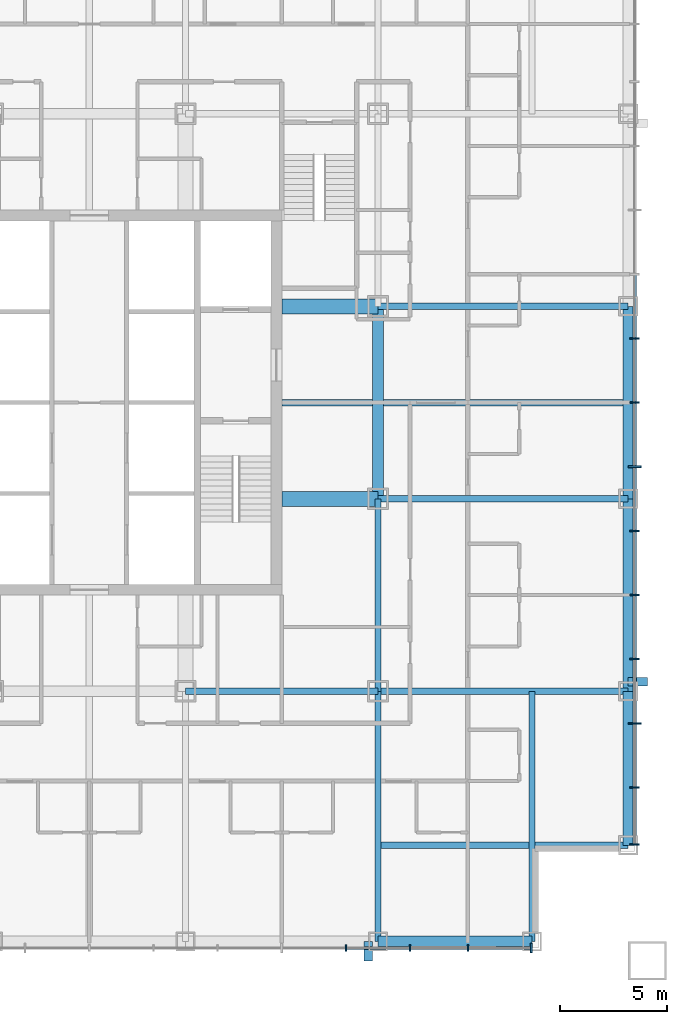
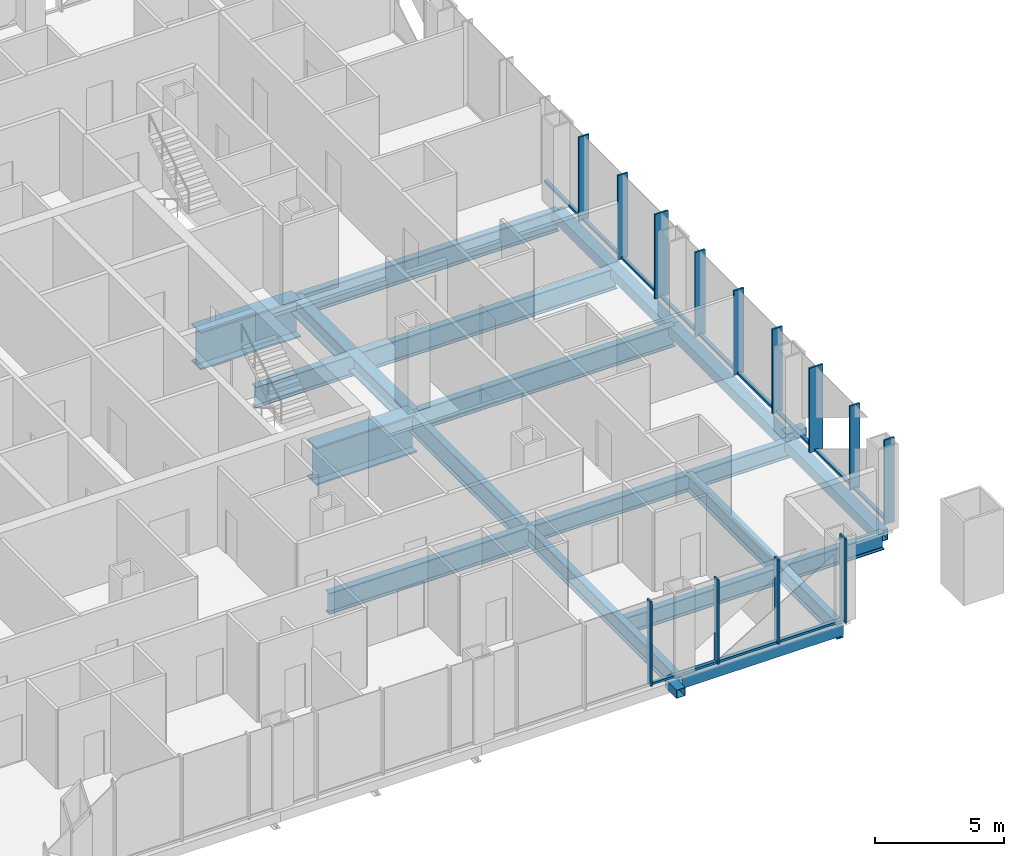
# One storey, part 3 of 13: 27 members, 16 beams, 2 elements without a shape of their own.
"""IFC4 building model written with IfcOpenShell, lengths in metres."""

from ifc_helpers import new_model, si_unit, direction, frame, origin, origin_2d, place, context, subcontext, project, spatial, rectangle, hollow_rectangle, i_section, extrude, material, layer, layer_set, material_profile, profile_set, type_object, element, aggregate, save


model = new_model("IFC4")

# Units and contexts
model_context = context("Model", 3, precision=1e-05, world=origin(), true_north=direction((0.0, 1.0)))
body_context = subcontext(model_context, "Body", "Model", "MODEL_VIEW")
ifc_project = project(units=[si_unit("LENGTHUNIT", "METRE"), si_unit("AREAUNIT", "SQUARE_METRE"), si_unit("VOLUMEUNIT", "CUBIC_METRE"), si_unit("PLANEANGLEUNIT", "RADIAN"), si_unit("MASSUNIT", "GRAM", prefix="KILO")], contexts=[model_context])

# Site, building, storey
site_placement = place(None, origin())
site = spatial("IfcSite", under=ifc_project, at=site_placement, CompositionType="ELEMENT")
building_placement = place(site_placement, origin())
building = spatial("IfcBuilding", under=site, at=building_placement, Name="Malebo Sky Hospital", CompositionType="ELEMENT")
storey_placement = place(building_placement, frame((0.0, 0.0, 87.0)))
storey = spatial("IfcBuildingStorey", under=building, at=storey_placement, Name="L20", CompositionType="ELEMENT", Elevation=87.0)

# Curtain wall, members
ifc_material_1 = material(Name="Anodised aluminium, natural silver", Category="aluminium")
ifc_layer_1 = layer(ifc_material_1, 0.25)
ifc_layer_set_1 = layer_set([ifc_layer_1], Name="WARD CURTAIN WALL NORTH AND SOUTH")
curtain_wall_type_1 = type_object("IfcCurtainWallType", Name="WARD CURTAIN WALL NORTH AND SOUTH", PredefinedType="NOTDEFINED", material=ifc_layer_set_1)
curtain_wall_1_placement = place(storey_placement, origin())
curtain_wall_1 = element("IfcCurtainWall", 1, at=curtain_wall_1_placement, inside=storey, type_object=curtain_wall_type_1, Name="NS curtain wall S", PredefinedType="NOTDEFINED")
ifc_material_profile_1 = material_profile(ifc_material_1, rectangle(XDim=0.14990234375, YDim=0.10009765625, at=origin_2d()), Name="ALUMINIUM TRANSOM 150x100")
ifc_profile_set_1 = profile_set([ifc_material_profile_1], Name="Anodised aluminium, natural silver")
member_type_1 = type_object("IfcMemberType", Name="ALUMINIUM TRANSOM 150x100", PredefinedType="USERDEFINED", material=ifc_profile_set_1)
member_1_placement = place(storey_placement, frame((80.625, 36.5, 0.050048828125), z_axis=(-1.0, 0.0, 0.0), x_axis=(0.0, -1.0, 0.0)))
member_1 = element("IfcMember", 2, at=member_1_placement, type_object=member_type_1, Name="Transom 1", ObjectType="TRANSOM", PredefinedType="USERDEFINED", context=body_context, shape_type="SweptSolid", body=[
    extrude(rectangle(XDim=0.14990234375, YDim=0.10009765625, at=origin_2d()), origin(), (0.0, 0.0, 1.0), 2.887451171875),
])
member_2_placement = place(storey_placement, frame((77.66259765625, 36.5, 0.050048828125), z_axis=(-1.0, 0.0, 0.0), x_axis=(0.0, -1.0, 0.0)))
member_2 = element("IfcMember", 3, at=member_2_placement, type_object=member_type_1, Name="Transom 2", ObjectType="TRANSOM", PredefinedType="USERDEFINED", context=body_context, shape_type="SweptSolid", body=[
    extrude(rectangle(XDim=0.14990234375, YDim=0.10009765625, at=origin_2d()), origin(), (0.0, 0.0, 1.0), 2.625),
])
member_3_placement = place(storey_placement, frame((74.96240234375, 36.5, 0.050048828125), z_axis=(-1.0, 0.0, 0.0), x_axis=(0.0, -1.0, 0.0)))
member_3 = element("IfcMember", 4, at=member_3_placement, type_object=member_type_1, Name="Transom 3", ObjectType="TRANSOM", PredefinedType="USERDEFINED", context=body_context, shape_type="SweptSolid", body=[
    extrude(rectangle(XDim=0.14990234375, YDim=0.10009765625, at=origin_2d()), origin(), (0.0, 0.0, 1.0), 2.9248046875),
])

ifc_layer_2 = layer(ifc_material_1, 0.25)
ifc_layer_set_2 = layer_set([ifc_layer_2], Name="WARD CURTAIN WALL EAST AND WEST")
curtain_wall_type_2 = type_object("IfcCurtainWallType", Name="WARD CURTAIN WALL EAST AND WEST", PredefinedType="NOTDEFINED", material=ifc_layer_set_2)
curtain_wall_2_placement = place(storey_placement, origin())
curtain_wall_2 = element("IfcCurtainWall", 5, at=curtain_wall_2_placement, inside=storey, type_object=curtain_wall_type_2, Name="EW curtain wall E", PredefinedType="NOTDEFINED")
member_4_placement = place(storey_placement, frame((85.5, 67.96240234375, 0.050048828125), z_axis=(0.0, -1.0, 0.0), x_axis=(1.0, 0.0, 0.0)))
member_4 = element("IfcMember", 6, at=member_4_placement, type_object=member_type_1, Name="Transom 6", ObjectType="TRANSOM", PredefinedType="USERDEFINED", context=body_context, shape_type="SweptSolid", body=[
    extrude(rectangle(XDim=0.14990234375, YDim=0.10009765625, at=origin_2d()), origin(), (0.0, 0.0, 1.0), 2.9248046875),
])
member_5_placement = place(storey_placement, frame((85.5, 64.96240234375, 0.050048828125), z_axis=(0.0, -1.0, 0.0), x_axis=(1.0, 0.0, 0.0)))
member_5 = element("IfcMember", 7, at=member_5_placement, type_object=member_type_1, Name="Transom 7", ObjectType="TRANSOM", PredefinedType="USERDEFINED", context=body_context, shape_type="SweptSolid", body=[
    extrude(rectangle(XDim=0.14990234375, YDim=0.10009765625, at=origin_2d()), origin(), (0.0, 0.0, 1.0), 2.9248046875),
])
member_6_placement = place(storey_placement, frame((85.5, 61.96240234375, 0.050048828125), z_axis=(0.0, -1.0, 0.0), x_axis=(1.0, 0.0, 0.0)))
member_6 = element("IfcMember", 8, at=member_6_placement, type_object=member_type_1, Name="Transom 8", ObjectType="TRANSOM", PredefinedType="USERDEFINED", context=body_context, shape_type="SweptSolid", body=[
    extrude(rectangle(XDim=0.14990234375, YDim=0.10009765625, at=origin_2d()), origin(), (0.0, 0.0, 1.0), 2.9248046875),
])
member_7_placement = place(storey_placement, frame((85.5, 58.96240234375, 0.050048828125), z_axis=(0.0, -1.0, 0.0), x_axis=(1.0, 0.0, 0.0)))
member_7 = element("IfcMember", 9, at=member_7_placement, type_object=member_type_1, Name="Transom 9", ObjectType="TRANSOM", PredefinedType="USERDEFINED", context=body_context, shape_type="SweptSolid", body=[
    extrude(rectangle(XDim=0.14990234375, YDim=0.10009765625, at=origin_2d()), origin(), (0.0, 0.0, 1.0), 2.9248046875),
])
member_8_placement = place(storey_placement, frame((85.5, 55.96240234375, 0.050048828125), z_axis=(0.0, -1.0, 0.0), x_axis=(1.0, 0.0, 0.0)))
member_8 = element("IfcMember", 10, at=member_8_placement, type_object=member_type_1, Name="Transom 10", ObjectType="TRANSOM", PredefinedType="USERDEFINED", context=body_context, shape_type="SweptSolid", body=[
    extrude(rectangle(XDim=0.14990234375, YDim=0.10009765625, at=origin_2d()), origin(), (0.0, 0.0, 1.0), 2.9248046875),
])
member_9_placement = place(storey_placement, frame((85.5, 52.96240234375, 0.050048828125), z_axis=(0.0, -1.0, 0.0), x_axis=(1.0, 0.0, 0.0)))
member_9 = element("IfcMember", 11, at=member_9_placement, type_object=member_type_1, Name="Transom 11", ObjectType="TRANSOM", PredefinedType="USERDEFINED", context=body_context, shape_type="SweptSolid", body=[
    extrude(rectangle(XDim=0.14990234375, YDim=0.10009765625, at=origin_2d()), origin(), (0.0, 0.0, 1.0), 2.9248046875),
])
member_10_placement = place(storey_placement, frame((85.5, 49.96240234375, 0.050048828125), z_axis=(0.0, -1.0, 0.0), x_axis=(1.0, 0.0, 0.0)))
member_10 = element("IfcMember", 12, at=member_10_placement, type_object=member_type_1, Name="Transom 12", ObjectType="TRANSOM", PredefinedType="USERDEFINED", context=body_context, shape_type="SweptSolid", body=[
    extrude(rectangle(XDim=0.14990234375, YDim=0.10009765625, at=origin_2d()), origin(), (0.0, 0.0, 1.0), 2.9248046875),
])
member_11_placement = place(storey_placement, frame((85.5, 46.96240234375, 0.050048828125), z_axis=(0.0, -1.0, 0.0), x_axis=(1.0, 0.0, 0.0)))
member_11 = element("IfcMember", 13, at=member_11_placement, type_object=member_type_1, Name="Transom 13", ObjectType="TRANSOM", PredefinedType="USERDEFINED", context=body_context, shape_type="SweptSolid", body=[
    extrude(rectangle(XDim=0.14990234375, YDim=0.10009765625, at=origin_2d()), origin(), (0.0, 0.0, 1.0), 2.9248046875),
])
member_12_placement = place(storey_placement, frame((85.5, 43.96240234375, 0.050048828125), z_axis=(0.0, -1.0, 0.0), x_axis=(1.0, 0.0, 0.0)))
member_12 = element("IfcMember", 14, at=member_12_placement, type_object=member_type_1, Name="Transom 14", ObjectType="TRANSOM", PredefinedType="USERDEFINED", context=body_context, shape_type="SweptSolid", body=[
    extrude(rectangle(XDim=0.14990234375, YDim=0.10009765625, at=origin_2d()), origin(), (0.0, 0.0, 1.0), 2.58740234375),
])

# Members
ifc_material_2 = material(Name="Steel S355", Category="steel")
ifc_material_profile_2 = material_profile(ifc_material_2, hollow_rectangle(XDim=0.39990234375, YDim=0.39990234375, WallThickness=0.02001953125, at=origin_2d()), Name="SHS 400x20")
ifc_profile_set_2 = profile_set([ifc_material_profile_2], Name="Steel S355")
member_type_2 = type_object("IfcMemberType", Name="BRACE STRUT SHS 400x20", PredefinedType="STRUT", material=ifc_profile_set_2)
for number, where, z_axis, x_axis, name in (
    (15, (73.050048828125, 35.89990234375, -0.39990234375), (0.0, 1.0, 0.0), (-1.0, 0.0, 0.0), "Brace strut AS1 L20"),
    (16, (86.10009765625, 48.949951171875, -0.39990234375), (-1.0, 0.0, 0.0), (0.0, -1.0, 0.0), "Brace strut AE2 L20"),
):
    element("IfcMember", number, at=place(storey_placement, frame(where, z_axis=z_axis, x_axis=x_axis)), inside=storey, type_object=member_type_2, Name=name, PredefinedType="STRUT", context=body_context, shape_type="SweptSolid", body=[
        extrude(hollow_rectangle(XDim=0.39990234375, YDim=0.39990234375, WallThickness=0.02001953125, at=origin_2d()), origin(), (0.0, 0.0, 1.0), 0.900146484375),
    ])

# Member
ifc_material_profile_3 = material_profile(ifc_material_1, rectangle(XDim=0.074951171875, YDim=0.300048828125, at=origin_2d()), Name="CW1 ALUMINIUM FIN MULLION 75x300")
ifc_profile_set_3 = profile_set([ifc_material_profile_3], Name="Anodised aluminium, natural silver")
member_type_3 = type_object("IfcMemberType", Name="CW1 ALUMINIUM FIN MULLION 75x300", PredefinedType="MULLION", material=ifc_profile_set_3)
member_13_placement = place(storey_placement, frame((77.699951171875, 36.5, 0.0), z_axis=(0.0, 0.0, 1.0), x_axis=(-1.0, 0.0, 0.0)))
member_13 = element("IfcMember", 17, at=member_13_placement, type_object=member_type_3, Name="Fin mullion 2", PredefinedType="MULLION", context=body_context, shape_type="SweptSolid", body=[
    extrude(rectangle(XDim=0.074951171875, YDim=0.300048828125, at=origin_2d()), origin(), (0.0, 0.0, 1.0), 4.0),
])

member_14_placement = place(storey_placement, frame((75.0, 36.5, 0.0), z_axis=(0.0, 0.0, 1.0), x_axis=(-1.0, 0.0, 0.0)))
member_14 = element("IfcMember", 18, at=member_14_placement, type_object=member_type_3, Name="Fin mullion 3", PredefinedType="MULLION", context=body_context, shape_type="SweptSolid", body=[
    extrude(rectangle(XDim=0.074951171875, YDim=0.300048828125, at=origin_2d()), origin(), (0.0, 0.0, 1.0), 4.0),
])

member_15_placement = place(storey_placement, frame((72.0, 36.5, 0.0), z_axis=(0.0, 0.0, 1.0), x_axis=(-1.0, 0.0, 0.0)))
member_15 = element("IfcMember", 19, at=member_15_placement, type_object=member_type_3, Name="Fin mullion 4", PredefinedType="MULLION", context=body_context, shape_type="SweptSolid", body=[
    extrude(rectangle(XDim=0.074951171875, YDim=0.300048828125, at=origin_2d()), origin(), (0.0, 0.0, 1.0), 4.0),
])

ifc_material_profile_4 = material_profile(ifc_material_1, rectangle(XDim=0.074951171875, YDim=0.449951171875, at=origin_2d()), Name="CW1 ALUMINIUM FIN MULLION 75x450")
ifc_profile_set_4 = profile_set([ifc_material_profile_4], Name="Anodised aluminium, natural silver")
member_type_4 = type_object("IfcMemberType", Name="CW1 ALUMINIUM FIN MULLION 75x450", PredefinedType="MULLION", material=ifc_profile_set_4)
member_16_placement = place(storey_placement, frame((80.66259765625, 36.5, 0.0), z_axis=(0.0, 0.0, 1.0), x_axis=(-1.0, 0.0, 0.0)))
member_16 = element("IfcMember", 20, at=member_16_placement, type_object=member_type_4, Name="Fin mullion 1", PredefinedType="MULLION", context=body_context, shape_type="SweptSolid", body=[
    extrude(rectangle(XDim=0.074951171875, YDim=0.449951171875, at=origin_2d()), origin(), (0.0, 0.0, 1.0), 4.0),
])

aggregate(curtain_wall_1, [member_16, member_13, member_14, member_15, member_1, member_2, member_3])

ifc_material_profile_5 = material_profile(ifc_material_1, rectangle(XDim=0.074951171875, YDim=0.449951171875, at=origin_2d()), Name="CW2 ALUMINIUM FIN MULLION 75x450")
ifc_profile_set_5 = profile_set([ifc_material_profile_5], Name="Anodised aluminium, natural silver")
member_type_5 = type_object("IfcMemberType", Name="CW2 ALUMINIUM FIN MULLION 75x450", PredefinedType="MULLION", material=ifc_profile_set_5)
member_17_placement = place(storey_placement, frame((85.5, 65.0, 0.0), z_axis=(0.0, 0.0, 1.0), x_axis=(0.0, -1.0, 0.0)))
member_17 = element("IfcMember", 21, at=member_17_placement, type_object=member_type_5, Name="Fin mullion 7", PredefinedType="MULLION", context=body_context, shape_type="SweptSolid", body=[
    extrude(rectangle(XDim=0.074951171875, YDim=0.449951171875, at=origin_2d()), origin(), (0.0, 0.0, 1.0), 4.0),
])

member_18_placement = place(storey_placement, frame((85.5, 62.0, 0.0), z_axis=(0.0, 0.0, 1.0), x_axis=(0.0, -1.0, 0.0)))
member_18 = element("IfcMember", 22, at=member_18_placement, type_object=member_type_5, Name="Fin mullion 8", PredefinedType="MULLION", context=body_context, shape_type="SweptSolid", body=[
    extrude(rectangle(XDim=0.074951171875, YDim=0.449951171875, at=origin_2d()), origin(), (0.0, 0.0, 1.0), 4.0),
])

member_19_placement = place(storey_placement, frame((85.5, 56.0, 0.0), z_axis=(0.0, 0.0, 1.0), x_axis=(0.0, -1.0, 0.0)))
member_19 = element("IfcMember", 23, at=member_19_placement, type_object=member_type_5, Name="Fin mullion 10", PredefinedType="MULLION", context=body_context, shape_type="SweptSolid", body=[
    extrude(rectangle(XDim=0.074951171875, YDim=0.449951171875, at=origin_2d()), origin(), (0.0, 0.0, 1.0), 4.0),
])

member_20_placement = place(storey_placement, frame((85.5, 53.0, 0.0), z_axis=(0.0, 0.0, 1.0), x_axis=(0.0, -1.0, 0.0)))
member_20 = element("IfcMember", 24, at=member_20_placement, type_object=member_type_5, Name="Fin mullion 11", PredefinedType="MULLION", context=body_context, shape_type="SweptSolid", body=[
    extrude(rectangle(XDim=0.074951171875, YDim=0.449951171875, at=origin_2d()), origin(), (0.0, 0.0, 1.0), 4.0),
])

member_21_placement = place(storey_placement, frame((85.5, 50.0, 0.0), z_axis=(0.0, 0.0, 1.0), x_axis=(0.0, -1.0, 0.0)))
member_21 = element("IfcMember", 25, at=member_21_placement, type_object=member_type_5, Name="Fin mullion 12", PredefinedType="MULLION", context=body_context, shape_type="SweptSolid", body=[
    extrude(rectangle(XDim=0.074951171875, YDim=0.449951171875, at=origin_2d()), origin(), (0.0, 0.0, 1.0), 4.0),
])

member_22_placement = place(storey_placement, frame((85.5, 44.0, 0.0), z_axis=(0.0, 0.0, 1.0), x_axis=(0.0, -1.0, 0.0)))
member_22 = element("IfcMember", 26, at=member_22_placement, type_object=member_type_5, Name="Fin mullion 14", PredefinedType="MULLION", context=body_context, shape_type="SweptSolid", body=[
    extrude(rectangle(XDim=0.074951171875, YDim=0.449951171875, at=origin_2d()), origin(), (0.0, 0.0, 1.0), 4.0),
])

member_23_placement = place(storey_placement, frame((85.5, 41.33740234375, 0.0), z_axis=(0.0, 0.0, 1.0), x_axis=(0.0, -1.0, 0.0)))
member_23 = element("IfcMember", 27, at=member_23_placement, type_object=member_type_5, Name="Fin mullion 15", PredefinedType="MULLION", context=body_context, shape_type="SweptSolid", body=[
    extrude(rectangle(XDim=0.074951171875, YDim=0.449951171875, at=origin_2d()), origin(), (0.0, 0.0, 1.0), 4.0),
])

ifc_material_profile_6 = material_profile(ifc_material_1, rectangle(XDim=0.074951171875, YDim=0.60009765625, at=origin_2d()), Name="CW2 ALUMINIUM FIN MULLION 75x600")
ifc_profile_set_6 = profile_set([ifc_material_profile_6], Name="Anodised aluminium, natural silver")
member_type_6 = type_object("IfcMemberType", Name="CW2 ALUMINIUM FIN MULLION 75x600", PredefinedType="MULLION", material=ifc_profile_set_6)
member_24_placement = place(storey_placement, frame((85.5, 59.0, 0.0), z_axis=(0.0, 0.0, 1.0), x_axis=(0.0, -1.0, 0.0)))
member_24 = element("IfcMember", 28, at=member_24_placement, type_object=member_type_6, Name="Fin mullion 9", PredefinedType="MULLION", context=body_context, shape_type="SweptSolid", body=[
    extrude(rectangle(XDim=0.074951171875, YDim=0.60009765625, at=origin_2d()), origin(), (0.0, 0.0, 1.0), 4.0),
])

member_25_placement = place(storey_placement, frame((85.5, 47.0, 0.0), z_axis=(0.0, 0.0, 1.0), x_axis=(0.0, -1.0, 0.0)))
member_25 = element("IfcMember", 29, at=member_25_placement, type_object=member_type_6, Name="Fin mullion 13", PredefinedType="MULLION", context=body_context, shape_type="SweptSolid", body=[
    extrude(rectangle(XDim=0.074951171875, YDim=0.60009765625, at=origin_2d()), origin(), (0.0, 0.0, 1.0), 4.0),
])

aggregate(curtain_wall_2, [member_17, member_18, member_24, member_19, member_20, member_21, member_25, member_22, member_23, member_4, member_5, member_6, member_7, member_8, member_9, member_10, member_11, member_12])

# Beams
ifc_material_3 = material(Name="Steel S460", Category="steel")
ifc_material_profile_7 = material_profile(ifc_material_3, hollow_rectangle(XDim=0.5, YDim=0.5, WallThickness=0.030029296875, at=origin_2d()), Name="BOX 500x500x30")
ifc_profile_set_7 = profile_set([ifc_material_profile_7], Name="Steel S460")
beam_type_1 = type_object("IfcBeamType", Name="EDGE BEAM BOX 500x500x30", PredefinedType="BEAM", material=ifc_profile_set_7)
beam_1_placement = place(storey_placement, frame((85.199951171875, 41.300048828125, -0.5), z_axis=(0.0, 1.0, 0.0), x_axis=(-1.0, 0.0, 0.0)))
element("IfcBeam", 30, at=beam_1_placement, inside=storey, type_object=beam_type_1, Name="Beam 029 L20", PredefinedType="BEAM", context=body_context, shape_type="SweptSolid", body=[
    extrude(hollow_rectangle(XDim=0.5, YDim=0.5, WallThickness=0.030029296875, at=origin_2d()), origin(), (0.0, 0.0, 1.0), 7.199951171875),
])
for number, where, z_axis, x_axis, name in (
    (31, (85.199951171875, 48.5, -0.5), (0.0, 1.0, 0.0), (-1.0, 0.0, 0.0), "Beam 030 L20"),
    (32, (85.199951171875, 57.5, -0.5), (0.0, 1.0, 0.0), (-1.0, 0.0, 0.0), "Beam 031 L20"),
):
    element("IfcBeam", number, at=place(storey_placement, frame(where, z_axis=z_axis, x_axis=x_axis)), inside=storey, type_object=beam_type_1, Name=name, PredefinedType="BEAM", context=body_context, shape_type="SweptSolid", body=[
        extrude(hollow_rectangle(XDim=0.5, YDim=0.5, WallThickness=0.030029296875, at=origin_2d()), origin(), (0.0, 0.0, 1.0), 9.0),
    ])
beam_2_placement = place(storey_placement, frame((73.5, 36.800048828125, -0.5), z_axis=(1.0, 0.0, 0.0), x_axis=(0.0, 1.0, 0.0)))
element("IfcBeam", 33, at=beam_2_placement, inside=storey, type_object=beam_type_1, Name="Beam 038 L20", PredefinedType="BEAM", context=body_context, shape_type="SweptSolid", body=[
    extrude(hollow_rectangle(XDim=0.5, YDim=0.5, WallThickness=0.030029296875, at=origin_2d()), origin(), (0.0, 0.0, 1.0), 7.199951171875),
])
ifc_material_profile_8 = material_profile(ifc_material_2, i_section(OverallWidth=0.300048828125, OverallDepth=1.0, WebThickness=0.01904296875, FlangeThickness=0.035888671875, FilletRadius=0.030029296875, at=origin_2d()), Name="HEB 1000")
ifc_profile_set_8 = profile_set([ifc_material_profile_8], Name="Steel S355")
beam_type_2 = type_object("IfcBeamType", Name="FLOOR BEAM HEB 1000", PredefinedType="BEAM", material=ifc_profile_set_8)
for number, where, z_axis, x_axis, name in (
    (34, (73.5, 48.5, -0.75), (0.0, 1.0, 0.0), (-1.0, 0.0, 0.0), "Beam 023 L20"),
    (35, (64.5, 48.5, -0.75), (1.0, 0.0, 0.0), (0.0, 1.0, 0.0), "Beam 044 L20"),
):
    element("IfcBeam", number, at=place(storey_placement, frame(where, z_axis=z_axis, x_axis=x_axis)), inside=storey, type_object=beam_type_2, Name=name, PredefinedType="BEAM", context=body_context, shape_type="SweptSolid", body=[
        extrude(i_section(OverallWidth=0.300048828125, OverallDepth=1.0, WebThickness=0.01904296875, FlangeThickness=0.035888671875, FilletRadius=0.030029296875, at=origin_2d()), origin(), (0.0, 0.0, 1.0), 9.0),
    ])
beam_3_placement = place(storey_placement, frame((73.5, 57.5, -0.75), z_axis=(1.0, 0.0, 0.0), x_axis=(0.0, 1.0, 0.0)))
element("IfcBeam", 36, at=beam_3_placement, inside=storey, type_object=beam_type_2, Name="Beam 049 L20", PredefinedType="BEAM", context=body_context, shape_type="SweptSolid", body=[
    extrude(i_section(OverallWidth=0.300048828125, OverallDepth=1.0, WebThickness=0.01904296875, FlangeThickness=0.035888671875, FilletRadius=0.030029296875, at=origin_2d()), origin(), (0.0, 0.0, 1.0), 11.699951171875),
])
beam_4_placement = place(storey_placement, frame((69.0, 62.0, -0.75), z_axis=(1.0, 0.0, 0.0), x_axis=(0.0, 1.0, 0.0)))
element("IfcBeam", 37, at=beam_4_placement, inside=storey, type_object=beam_type_2, Name="Beam 051 L20", PredefinedType="BEAM", context=body_context, shape_type="SweptSolid", body=[
    extrude(i_section(OverallWidth=0.300048828125, OverallDepth=1.0, WebThickness=0.01904296875, FlangeThickness=0.035888671875, FilletRadius=0.030029296875, at=origin_2d()), origin(), (0.0, 0.0, 1.0), 16.199951171875),
])
beam_5_placement = place(storey_placement, frame((73.5, 66.5, -0.75), z_axis=(1.0, 0.0, 0.0), x_axis=(0.0, 1.0, 0.0)))
element("IfcBeam", 38, at=beam_5_placement, inside=storey, type_object=beam_type_2, Name="Beam 055 L20", PredefinedType="BEAM", context=body_context, shape_type="SweptSolid", body=[
    extrude(i_section(OverallWidth=0.300048828125, OverallDepth=1.0, WebThickness=0.01904296875, FlangeThickness=0.035888671875, FilletRadius=0.030029296875, at=origin_2d()), origin(), (0.0, 0.0, 1.0), 11.699951171875),
])
ifc_material_profile_9 = material_profile(ifc_material_2, i_section(OverallWidth=0.300048828125, OverallDepth=0.800048828125, WebThickness=0.017578125, FlangeThickness=0.032958984375, FilletRadius=0.030029296875, at=origin_2d()), Name="HEB 800")
ifc_profile_set_9 = profile_set([ifc_material_profile_9], Name="Steel S355")
beam_type_3 = type_object("IfcBeamType", Name="FLOOR BEAM HEB 800", PredefinedType="BEAM", material=ifc_profile_set_9)
for number, where, z_axis, x_axis, name in (
    (39, (80.699951171875, 36.800048828125, -0.64990234375), (0.0, 1.0, 0.0), (-1.0, 0.0, 0.0), "Beam 027 L20"),
    (40, (73.5, 41.300048828125, -0.64990234375), (1.0, 0.0, 0.0), (0.0, 1.0, 0.0), "Beam 040 L20"),
):
    element("IfcBeam", number, at=place(storey_placement, frame(where, z_axis=z_axis, x_axis=x_axis)), inside=storey, type_object=beam_type_3, Name=name, PredefinedType="BEAM", context=body_context, shape_type="SweptSolid", body=[
        extrude(i_section(OverallWidth=0.300048828125, OverallDepth=0.800048828125, WebThickness=0.017578125, FlangeThickness=0.032958984375, FilletRadius=0.030029296875, at=origin_2d()), origin(), (0.0, 0.0, 1.0), 11.699951171875),
    ])
ifc_material_profile_10 = material_profile(ifc_material_2, i_section(OverallWidth=0.699951171875, OverallDepth=1.800048828125, WebThickness=0.034912109375, FlangeThickness=0.070068359375, at=origin_2d()), Name="PG 1800x700x35x70")
ifc_profile_set_10 = profile_set([ifc_material_profile_10], Name="Steel S355")
beam_type_4 = type_object("IfcBeamType", Name="FLOOR BEAM PG 1800x700x35x70", PredefinedType="BEAM", material=ifc_profile_set_10)
for number, where, z_axis, x_axis, name in (
    (41, (69.0, 57.5, -1.14990234375), (1.0, 0.0, 0.0), (0.0, 1.0, 0.0), "Beam 048 L20"),
    (42, (69.0, 66.5, -1.14990234375), (1.0, 0.0, 0.0), (0.0, 1.0, 0.0), "Beam 054 L20"),
):
    element("IfcBeam", number, at=place(storey_placement, frame(where, z_axis=z_axis, x_axis=x_axis)), inside=storey, type_object=beam_type_4, Name=name, PredefinedType="BEAM", context=body_context, shape_type="SweptSolid", body=[
        extrude(i_section(OverallWidth=0.699951171875, OverallDepth=1.800048828125, WebThickness=0.034912109375, FlangeThickness=0.070068359375, at=origin_2d()), origin(), (0.0, 0.0, 1.0), 4.5),
    ])
ifc_material_profile_11 = material_profile(ifc_material_2, i_section(OverallWidth=0.300048828125, OverallDepth=0.800048828125, WebThickness=0.017578125, FlangeThickness=0.032958984375, FilletRadius=0.030029296875, at=origin_2d()), Name="HEB 800")
ifc_profile_set_11 = profile_set([ifc_material_profile_11], Name="Steel S355")
beam_type_5 = type_object("IfcBeamType", Name="FLOOR GIRDER HEB 800", PredefinedType="BEAM", material=ifc_profile_set_11)
for number, where, z_axis, x_axis, name in (
    (43, (73.5, 36.800048828125, -0.64990234375), (0.0, 1.0, 0.0), (-1.0, 0.0, 0.0), "Beam 022 L20"),
    (44, (73.5, 48.5, -0.64990234375), (1.0, 0.0, 0.0), (0.0, 1.0, 0.0), "Beam 045 L20"),
):
    element("IfcBeam", number, at=place(storey_placement, frame(where, z_axis=z_axis, x_axis=x_axis)), inside=storey, type_object=beam_type_5, Name=name, PredefinedType="BEAM", context=body_context, shape_type="SweptSolid", body=[
        extrude(i_section(OverallWidth=0.300048828125, OverallDepth=0.800048828125, WebThickness=0.017578125, FlangeThickness=0.032958984375, FilletRadius=0.030029296875, at=origin_2d()), origin(), (0.0, 0.0, 1.0), 11.699951171875),
    ])
ifc_material_profile_12 = material_profile(ifc_material_2, i_section(OverallWidth=0.5, OverallDepth=0.800048828125, WebThickness=0.030029296875, FlangeThickness=0.050048828125, at=origin_2d()), Name="PG 800x500x30x50")
ifc_profile_set_12 = profile_set([ifc_material_profile_12], Name="Steel S355")
beam_type_6 = type_object("IfcBeamType", Name="RING GIRDER PG 800x500x30x50", PredefinedType="BEAM", material=ifc_profile_set_12)
beam_6_placement = place(storey_placement, frame((73.5, 57.5, -0.64990234375), z_axis=(0.0, 1.0, 0.0), x_axis=(-1.0, 0.0, 0.0)))
element("IfcBeam", 45, at=beam_6_placement, inside=storey, type_object=beam_type_6, Name="Beam 024 L20", PredefinedType="BEAM", context=body_context, shape_type="SweptSolid", body=[
    extrude(i_section(OverallWidth=0.5, OverallDepth=0.800048828125, WebThickness=0.030029296875, FlangeThickness=0.050048828125, at=origin_2d()), origin(), (0.0, 0.0, 1.0), 9.0),
])

save(model, "model.ifc")
